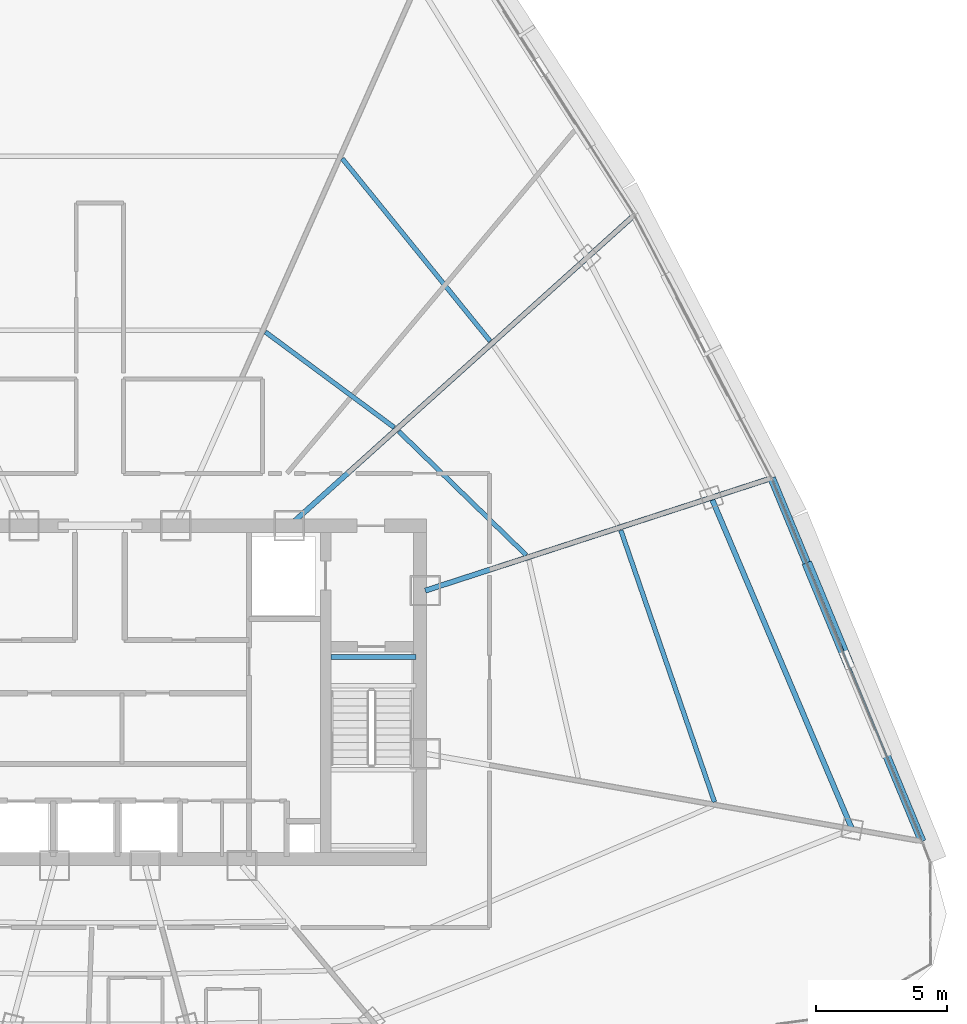
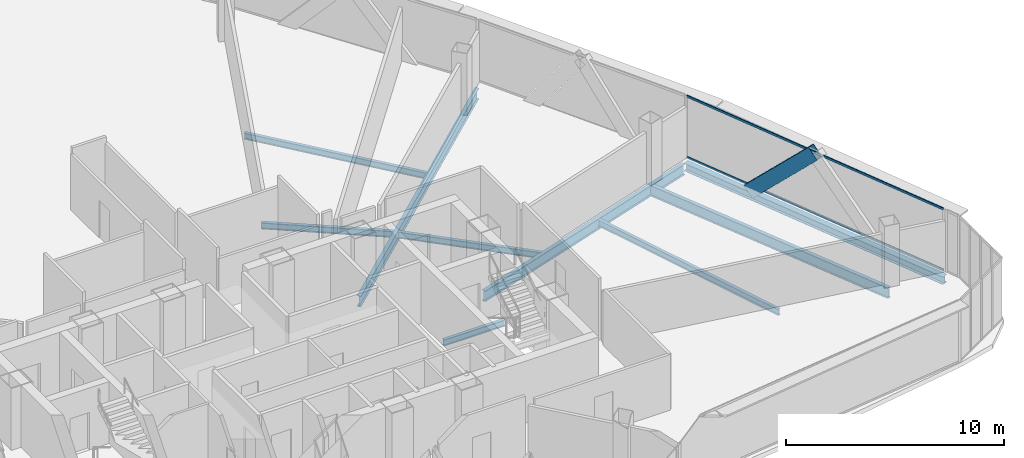
# One storey, part 17 of 40: 9 beams, 3 members, 1 element without a shape of its own.
"""IFC4 building model written with IfcOpenShell, lengths in metres."""

from ifc_helpers import new_model, si_unit, direction, frame, origin, origin_2d, place, context, subcontext, project, spatial, hollow_rectangle, i_section, extrude, source, transform, mapped, material, layer, layer_set, material_profile, profile_set, type_object, element, aggregate, save


model = new_model("IFC4")

# Units and contexts
model_context = context("Model", 3, precision=1e-05, world=origin(), true_north=direction((0.0, 1.0)))
body_context = subcontext(model_context, "Body", "Model", "MODEL_VIEW")
ifc_project = project(units=[si_unit("LENGTHUNIT", "METRE"), si_unit("AREAUNIT", "SQUARE_METRE"), si_unit("VOLUMEUNIT", "CUBIC_METRE"), si_unit("PLANEANGLEUNIT", "RADIAN"), si_unit("MASSUNIT", "GRAM", prefix="KILO"), si_unit("THERMODYNAMICTEMPERATUREUNIT", "KELVIN"), si_unit("POWERUNIT", "WATT")], contexts=[model_context])

# Site, building, storey
site_placement = place(None, origin())
site = spatial("IfcSite", under=ifc_project, at=site_placement, CompositionType="ELEMENT")
building_placement = place(site_placement, origin())
building = spatial("IfcBuilding", under=site, at=building_placement, Name="Yunzhuo Pagoda Commons", CompositionType="ELEMENT")
storey_placement = place(building_placement, frame((0.0, 0.0, 292.47998046875)))
storey = spatial("IfcBuildingStorey", under=building, at=storey_placement, Name="L73", CompositionType="ELEMENT", Elevation=292.47998046875)

# Beams
ifc_material_1 = material(Name="Structural steel Q355B", Category="steel")
ifc_material_profile_1 = material_profile(ifc_material_1, i_section(OverallWidth=0.175048828125, OverallDepth=0.35009765625, WebThickness=0.007080078125, FlangeThickness=0.010986328125, at=origin_2d()), Name="Structural steel Q355B")
ifc_profile_set_1 = profile_set([ifc_material_profile_1], Name="Structural steel Q355B")
beam_type_1 = type_object("IfcBeamType", Name="B-JS2 Joist HN 350x175x7x11", PredefinedType="JOIST", material=ifc_profile_set_1)
shared_shape_1 = source(origin(), body_context, "Body", "SweptSolid", [
    extrude(i_section(OverallWidth=0.175048828125, OverallDepth=0.35009765625, WebThickness=0.007080078125, FlangeThickness=0.010986328125, at=origin_2d()), origin(), (0.0, 0.0, 1.0), 3.25),
])
beam_1_placement = place(storey_placement, frame((56.800048828125, 35.199951171875, -0.374755859375), z_axis=(1.0, 0.0, 0.0), x_axis=(0.0, 1.0, 0.0)))
element("IfcBeam", 1, at=beam_1_placement, inside=storey, type_object=beam_type_1, Name="L73 ST2 landing support beam 177B", PredefinedType="JOIST", context=body_context, shape_type="MappedRepresentation", body=[
    mapped(shared_shape_1, transform((0.0, 0.0, 0.0), scale=1.0)),
])
ifc_material_profile_2 = material_profile(ifc_material_1, i_section(OverallWidth=0.199951171875, OverallDepth=0.60009765625, WebThickness=0.010986328125, FlangeThickness=0.01708984375, at=origin_2d()), Name="Structural steel Q355B")
ifc_profile_set_2 = profile_set([ifc_material_profile_2], Name="Structural steel Q355B")
beam_type_2 = type_object("IfcBeamType", Name="B-RG3 Beam HN 600x200x11x17", PredefinedType="BEAM", material=ifc_profile_set_2)
shared_shape_2 = source(origin(), body_context, "Body", "SweptSolid", [
    extrude(i_section(OverallWidth=0.199951171875, OverallDepth=0.60009765625, WebThickness=0.010986328125, FlangeThickness=0.01708984375, at=origin_2d()), origin(), (0.0, 0.0, 1.0), 13.715576171875),
])
beam_2_placement = place(storey_placement, frame((76.66162109375, 28.646240234375, -0.56005859375), z_axis=(-0.390733146992, 0.920503996646, 0.0), x_axis=(-0.920503996646, -0.390733146992, 0.0)))
element("IfcBeam", 2, at=beam_2_placement, inside=storey, type_object=beam_type_2, Name="L73 column-ring beam 5", PredefinedType="BEAM", context=body_context, shape_type="MappedRepresentation", body=[
    mapped(shared_shape_2, transform((0.0, 0.0, 0.0), scale=1.0)),
])
shared_shape_3 = source(origin(), body_context, "Body", "SweptSolid", [
    extrude(i_section(OverallWidth=0.175048828125, OverallDepth=0.35009765625, WebThickness=0.007080078125, FlangeThickness=0.010986328125, at=origin_2d()), origin(), (0.0, 0.0, 1.0), 10.954345703125),
])
beam_3_placement = place(storey_placement, frame((71.42041015625, 29.672607421875, -0.43505859375), z_axis=(-0.325839571137, 0.945425075763, 0.0), x_axis=(-0.945425075763, -0.325839571137, 0.0)))
element("IfcBeam", 3, at=beam_3_placement, inside=storey, type_object=beam_type_1, Name="L73 composite ring joist 2.5", PredefinedType="JOIST", context=body_context, shape_type="MappedRepresentation", body=[
    mapped(shared_shape_3, transform((0.0, 0.0, 0.0), scale=1.0)),
])
shared_shape_4 = source(origin(), body_context, "Body", "SweptSolid", [
    extrude(i_section(OverallWidth=0.175048828125, OverallDepth=0.35009765625, WebThickness=0.007080078125, FlangeThickness=0.010986328125, at=origin_2d()), origin(), (0.0, 0.0, 1.0), 6.767333984375),
])
beam_4_placement = place(storey_placement, frame((64.242431640625, 39.08447265625, -0.43505859375), z_axis=(-0.717207253673, 0.696859925149, 0.0), x_axis=(-0.696859925149, -0.717207253673, 0.0)))
element("IfcBeam", 4, at=beam_4_placement, inside=storey, type_object=beam_type_1, Name="L73 composite ring joist 1.6", PredefinedType="JOIST", context=body_context, shape_type="MappedRepresentation", body=[
    mapped(shared_shape_4, transform((0.0, 0.0, 0.0), scale=1.0)),
])
shared_shape_5 = source(origin(), body_context, "Body", "SweptSolid", [
    extrude(i_section(OverallWidth=0.175048828125, OverallDepth=0.35009765625, WebThickness=0.007080078125, FlangeThickness=0.010986328125, at=origin_2d()), origin(), (0.0, 0.0, 1.0), 6.109619140625),
])
beam_5_placement = place(storey_placement, frame((59.214111328125, 43.948974609375, -0.43505859375), z_axis=(-0.803396474468, 0.595444459888, 0.0), x_axis=(-0.595444459888, -0.803396474468, 0.0)))
element("IfcBeam", 5, at=beam_5_placement, inside=storey, type_object=beam_type_1, Name="L73 composite ring joist 1.7", PredefinedType="JOIST", context=body_context, shape_type="MappedRepresentation", body=[
    mapped(shared_shape_5, transform((0.0, 0.0, 0.0), scale=1.0)),
])
shared_shape_6 = source(origin(), body_context, "Body", "SweptSolid", [
    extrude(i_section(OverallWidth=0.175048828125, OverallDepth=0.35009765625, WebThickness=0.007080078125, FlangeThickness=0.010986328125, at=origin_2d()), origin(), (0.0, 0.0, 1.0), 8.9462890625),
])
beam_6_placement = place(storey_placement, frame((62.867431640625, 47.2412109375, -0.43505859375), z_axis=(-0.629455685791, 0.777036382434, 0.0), x_axis=(-0.777036382434, -0.629455685791, 0.0)))
element("IfcBeam", 6, at=beam_6_placement, inside=storey, type_object=beam_type_1, Name="L73 composite ring joist 2.7", PredefinedType="JOIST", context=body_context, shape_type="MappedRepresentation", body=[
    mapped(shared_shape_6, transform((0.0, 0.0, 0.0), scale=1.0)),
])
shared_shape_7 = source(origin(), body_context, "Body", "SweptSolid", [
    extrude(i_section(OverallWidth=0.199951171875, OverallDepth=0.60009765625, WebThickness=0.010986328125, FlangeThickness=0.01708984375, at=origin_2d()), origin(), (0.0, 0.0, 1.0), 13.723388671875),
])
beam_7_placement = place(storey_placement, frame((73.45166015625, 41.9697265625, -0.56005859375), z_axis=(-0.951057598357, -0.309013664112, 0.0), x_axis=(0.309013664112, -0.951057598357, 0.0)))
element("IfcBeam", 7, at=beam_7_placement, inside=storey, type_object=beam_type_2, Name="L73 radial floor girder F2C2", PredefinedType="BEAM", context=body_context, shape_type="MappedRepresentation", body=[
    mapped(shared_shape_7, transform((0.0, 0.0, 0.0), scale=1.0)),
])
shared_shape_8 = source(origin(), body_context, "Body", "SweptSolid", [
    extrude(i_section(OverallWidth=0.199951171875, OverallDepth=0.60009765625, WebThickness=0.010986328125, FlangeThickness=0.01708984375, at=origin_2d()), origin(), (0.0, 0.0, 1.0), 17.5458984375),
])
beam_8_placement = place(storey_placement, frame((68.258056640625, 51.9404296875, -0.56005859375), z_axis=(-0.74314329772, -0.669132303102, 0.0), x_axis=(0.669132303102, -0.74314329772, 0.0)))
element("IfcBeam", 8, at=beam_8_placement, inside=storey, type_object=beam_type_2, Name="L73 radial floor girder F2C3", PredefinedType="BEAM", context=body_context, shape_type="MappedRepresentation", body=[
    mapped(shared_shape_8, transform((0.0, 0.0, 0.0), scale=1.0)),
])
ifc_material_profile_3 = material_profile(ifc_material_1, i_section(OverallWidth=0.300048828125, OverallDepth=0.43994140625, WebThickness=0.010986328125, FlangeThickness=0.01806640625, at=origin_2d()), Name="Structural steel Q355B")
ifc_profile_set_3 = profile_set([ifc_material_profile_3], Name="Structural steel Q355B")
beam_type_3 = type_object("IfcBeamType", Name="B-SP2 Beam HM 440x300x11x18", PredefinedType="BEAM", material=ifc_profile_set_3)
shared_shape_9 = source(origin(), body_context, "Body", "SweptSolid", [
    extrude(i_section(OverallWidth=0.300048828125, OverallDepth=0.43994140625, WebThickness=0.010986328125, FlangeThickness=0.01806640625, at=origin_2d()), origin(), (0.0, 0.0, 1.0), 14.982421875),
])
beam_9_placement = place(storey_placement, frame((79.331787109375, 28.17529296875, -0.47998046875), z_axis=(-0.382626675999, 0.923903039725, 0.0), x_axis=(-0.923903039725, -0.382626675999, 0.0)))
element("IfcBeam", 9, at=beam_9_placement, inside=storey, type_object=beam_type_3, Name="L73 facade edge spandrel beam F2.1", PredefinedType="BEAM", context=body_context, shape_type="MappedRepresentation", body=[
    mapped(shared_shape_9, transform((0.0, 0.0, 0.0), scale=1.0)),
])

# Member
ifc_material_profile_4 = material_profile(ifc_material_1, hollow_rectangle(XDim=0.3798828125, YDim=0.719970703125, WallThickness=0.02001953125, at=origin_2d()), Name="Structural steel Q355B")
ifc_profile_set_4 = profile_set([ifc_material_profile_4], Name="Structural steel Q355B")
member_type_1 = type_object("IfcMemberType", Name="M-DL3 Brace BOX 720x380x20", PredefinedType="BRACE", material=ifc_profile_set_4)
shared_shape_10 = source(origin(), body_context, "Body", "SweptSolid", [
    extrude(hollow_rectangle(XDim=0.3798828125, YDim=0.719970703125, WallThickness=0.02001953125, at=origin_2d()), origin(), (0.0, 0.0, 1.0), 5.285888671875),
])
member_1_placement = place(storey_placement, frame((75.0322265625, 38.55712890625, -0.260009765625), z_axis=(0.27111603454, -0.654650540643, 0.705640677293), x_axis=(0.923904028933, 0.382624287416, 0.0)))
element("IfcMember", 10, at=member_1_placement, inside=storey, type_object=member_type_1, Name="L73 facade diamond brace F2.1R", PredefinedType="BRACE", context=body_context, shape_type="MappedRepresentation", body=[
    mapped(shared_shape_10, transform((0.0, 0.0, 0.0), scale=1.0)),
])

# Curtain wall, members
ifc_material_2 = material(Name="Anodized aluminium 6063-T6", Category="aluminium")
ifc_layer = layer(ifc_material_2, 0.139892578125)
ifc_layer_set = layer_set([ifc_layer], Name="Anodized aluminium 6063-T6")
curtain_wall_type = type_object("IfcCurtainWallType", Name="CW-HI High-Zone Ribbon Curtain Wall", PredefinedType="NOTDEFINED", material=ifc_layer_set)
curtain_wall_placement = place(storey_placement, origin())
curtain_wall = element("IfcCurtainWall", 11, at=curtain_wall_placement, inside=storey, type_object=curtain_wall_type, Name="L73 curtain wall CW-L73-F2B2", PredefinedType="NOTDEFINED")
ifc_material_profile_5 = material_profile(ifc_material_2, hollow_rectangle(XDim=0.054931640625, YDim=0.1201171875, WallThickness=0.00341796875, at=origin_2d()), Name="Anodized aluminium 6063-T6")
ifc_profile_set_5 = profile_set([ifc_material_profile_5], Name="Anodized aluminium 6063-T6")
member_type_2 = type_object("IfcMemberType", Name="CW-HI-T Transom RHS 120x55x3.5", PredefinedType="USERDEFINED", material=ifc_profile_set_5)
shared_shape_11 = source(origin(), body_context, "Body", "SweptSolid", [
    extrude(hollow_rectangle(XDim=0.054931640625, YDim=0.1201171875, WallThickness=0.00341796875, at=origin_2d()), origin(), (0.0, 0.0, 1.0), 14.862548828125),
])
member_2_placement = place(storey_placement, frame((79.308837890625, 28.230712890625, 0.027587890625), z_axis=(-0.382626960401, 0.923902921943, 0.0), x_axis=(-0.923902921943, -0.382626960401, 0.0)))
member_2 = element("IfcMember", 12, at=member_2_placement, type_object=member_type_2, Name="CW transom 1.1", ObjectType="TRANSOM", PredefinedType="USERDEFINED", context=body_context, shape_type="MappedRepresentation", body=[
    mapped(shared_shape_11, transform((0.0, 0.0, 0.0), scale=1.0)),
])
member_3_placement = place(storey_placement, frame((79.308837890625, 28.230712890625, 3.442626953125), z_axis=(-0.382626960401, 0.923902921943, 0.0), x_axis=(-0.923902921943, -0.382626960401, 0.0)))
member_3 = element("IfcMember", 13, at=member_3_placement, type_object=member_type_2, Name="CW transom 1.2", ObjectType="TRANSOM", PredefinedType="USERDEFINED", context=body_context, shape_type="MappedRepresentation", body=[
    mapped(shared_shape_11, transform((0.0, 0.0, 0.0), scale=1.0)),
])
aggregate(curtain_wall, [member_2, member_3])

save(model, "model.ifc")
